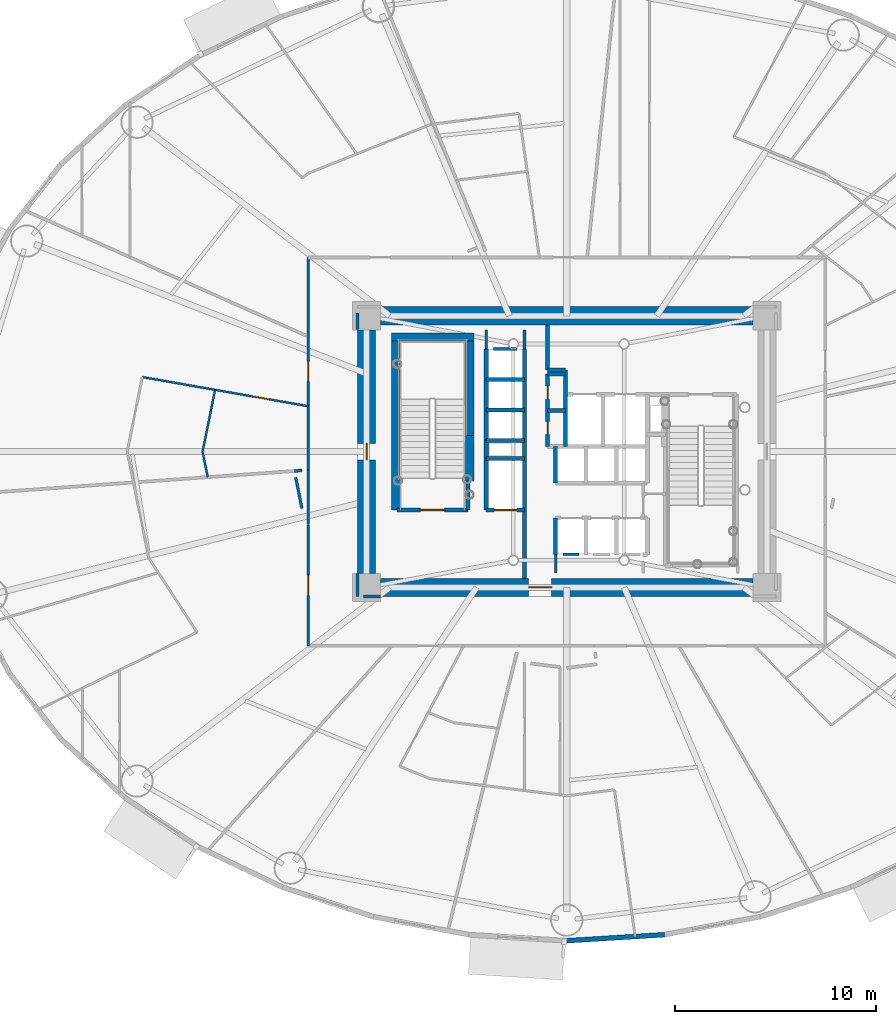
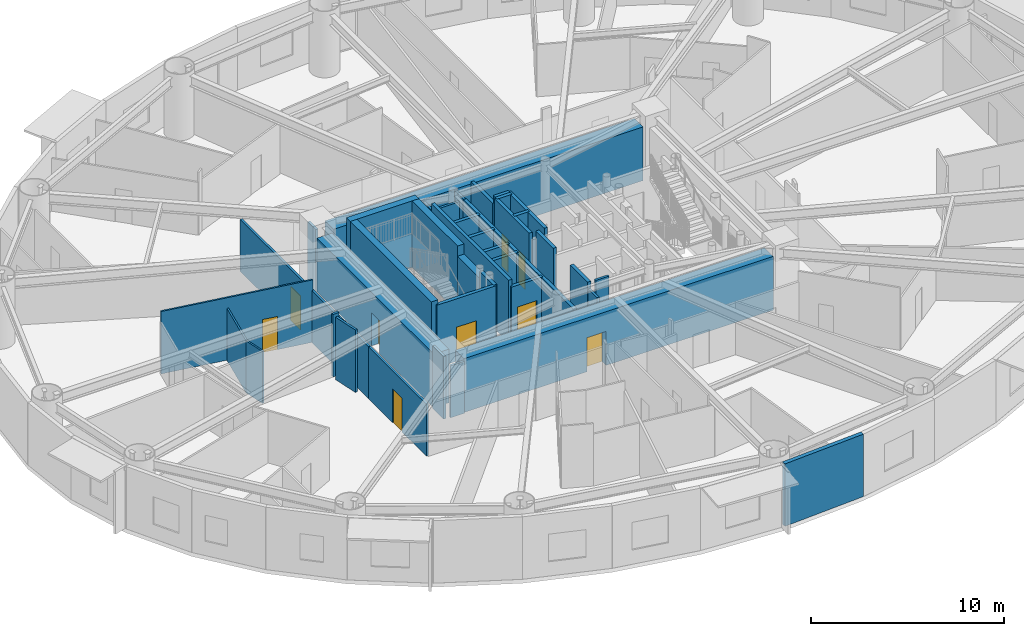
# One storey, part 9 of 21: 41 walls, 9 doors, 9 openings.
"""IFC4 building model written with IfcOpenShell, lengths in metres."""

from ifc_helpers import new_model, si_unit, direction, frame, frame_2d, origin, origin_2d, place, context, subcontext, project, spatial, rectangle, extrude, source, transform, mapped, material, layer, layer_set, type_object, element, fill, save


model = new_model("IFC4")

# Units and contexts
model_context = context("Model", 3, precision=1e-05, world=origin(), true_north=direction((0.0, 1.0)))
body_context = subcontext(model_context, "Body", "Model", "MODEL_VIEW")
ifc_project = project(units=[si_unit("LENGTHUNIT", "METRE"), si_unit("AREAUNIT", "SQUARE_METRE"), si_unit("VOLUMEUNIT", "CUBIC_METRE"), si_unit("PLANEANGLEUNIT", "RADIAN"), si_unit("MASSUNIT", "GRAM", prefix="KILO")], contexts=[model_context])

# Site, building, storey
site_placement = place(None, origin())
site = spatial("IfcSite", under=ifc_project, at=site_placement, CompositionType="ELEMENT")
building_placement = place(site_placement, origin())
building = spatial("IfcBuilding", under=site, at=building_placement, Name="Linh Dai School and Residence Tower", CompositionType="ELEMENT")
storey_placement = place(building_placement, frame((0.0, 0.0, 61.800048828125)))
storey = spatial("IfcBuildingStorey", under=building, at=storey_placement, Name="L14", CompositionType="ELEMENT", Elevation=61.800048828125)

# Wall
ifc_material_1 = material(Name="Precast Concrete B45 (C35/45)", Category="concrete")
ifc_layer_1 = layer(ifc_material_1, 0.239990234375)
ifc_layer_set_1 = layer_set([ifc_layer_1], Name="Precast Concrete B45 (C35/45)")
wall_type_1 = type_object("IfcWallType", Name="EW-TC-240", PredefinedType="SOLIDWALL", material=ifc_layer_set_1)
wall_1_placement = place(storey_placement, frame((40.865478515625, 2.994873046875, 0.0), z_axis=(0.0, 0.0, 1.0), x_axis=(-0.998106954071, -0.061502099433, 0.0)))
element("IfcWall", 1, at=wall_1_placement, inside=storey, type_object=wall_type_1, Name="L14 Terracotta Exterior Wall 31", PredefinedType="SOLIDWALL", context=body_context, shape_type="SweptSolid", body=[
    extrude(rectangle(XDim=4.874755859375, YDim=0.239990234375, at=frame_2d((2.4375, 0.0))), origin(), (0.0, 0.0, 1.0), 3.949951171875),
])

# Wall, opening, door
ifc_material_2 = material(Name="Autoclaved Aerated Concrete Blockwork", Category="masonry")
ifc_layer_2 = layer(ifc_material_2, 0.135009765625)
ifc_layer_set_2 = layer_set([ifc_layer_2], Name="Autoclaved Aerated Concrete Blockwork")
wall_type_2 = type_object("IfcWallType", Name="IW-CORR-135-EI90", PredefinedType="PARTITIONING", material=ifc_layer_set_2)
wall_2_placement = place(storey_placement, frame((23.14990234375, 17.35009765625, 0.0), z_axis=(0.0, 0.0, 1.0), x_axis=(0.0, 1.0, 0.0)))
wall_2 = element("IfcWall", 2, at=wall_2_placement, inside=storey, type_object=wall_type_2, Name="L14 Interior Partition Wall 019", PredefinedType="PARTITIONING", context=body_context, shape_type="SweptSolid", body=[
    extrude(rectangle(XDim=6.011474609375, YDim=0.135009765625, at=frame_2d((3.005859375, 0.0))), origin(), (0.0, 0.0, 1.0), 3.284912109375),
])
opening_1_placement = place(wall_2_placement, frame((2.505859375, 0.0, 0.0)))
opening_1 = element("IfcOpeningElement", 3, at=opening_1_placement, cuts=wall_2, Name="Opening D03", PredefinedType="OPENING", context=body_context, shape_type="SweptSolid", body=[
    extrude(rectangle(XDim=1.0, YDim=2.14990234375, at=origin_2d()), frame((0.5, 0.07763671875, 1.074951171875), z_axis=(0.0, -1.0, 0.0), x_axis=(1.0, 0.0, 0.0)), (0.0, 0.0, 1.0), 0.155029296875),
])
ifc_material_3 = material(Name="Fire-Rated Solid Timber Entrance Door", Category="wood")
door_type_1 = type_object("IfcDoorType", Name="DR-FLAT-1000x2150-FD60S", OperationType="NOTDEFINED", PredefinedType="DOOR", material=ifc_material_3)
shared_shape_1 = source(origin(), body_context, "Body", "SweptSolid", [
    extrude(rectangle(XDim=1.0, YDim=2.14990234375, at=origin_2d()), frame((0.5, 0.02490234375, 1.074951171875), z_axis=(0.0, -1.0, 0.0), x_axis=(1.0, 0.0, 0.0)), (0.0, 0.0, 1.0), 0.050048828125),
])
door_1_placement = place(opening_1_placement, origin())
door_1 = element("IfcDoor", 4, at=door_1_placement, inside=storey, type_object=door_type_1, Name="L14 U1406 Apartment Entrance Door", OperationType="SINGLE_SWING_RIGHT", OverallHeight=2.14990234375, OverallWidth=1.0, PredefinedType="DOOR", context=body_context, shape_type="MappedRepresentation", body=[
    mapped(shared_shape_1, transform((0.0, 0.0, 0.0), x_axis=(1.0, 0.0, 0.0), y_axis=(0.0, 1.0, 0.0), z_axis=(0.0, 0.0, 1.0), scale=1.0)),
])
fill(opening_1, door_1)

wall_3_placement = place(storey_placement, frame((23.14990234375, 26.086181640625, 0.0), z_axis=(0.0, 0.0, 1.0), x_axis=(0.0, 1.0, 0.0)))
wall_3 = element("IfcWall", 5, at=wall_3_placement, inside=storey, type_object=wall_type_2, Name="L14 Interior Partition Wall 021", PredefinedType="PARTITIONING", context=body_context, shape_type="SweptSolid", body=[
    extrude(rectangle(XDim=10.563720703125, YDim=0.135009765625, at=frame_2d((5.28173828125, 0.0))), origin(), (0.0, 0.0, 1.0), 3.284912109375),
])
opening_2_placement = place(wall_3_placement, frame((4.4033203125, 0.0, 0.0)))
opening_2 = element("IfcOpeningElement", 6, at=opening_2_placement, cuts=wall_3, Name="Opening D03", PredefinedType="OPENING", context=body_context, shape_type="SweptSolid", body=[
    extrude(rectangle(XDim=1.0, YDim=2.14990234375, at=origin_2d()), frame((0.5, 0.07763671875, 1.074951171875), z_axis=(0.0, -1.0, 0.0), x_axis=(1.0, 0.0, 0.0)), (0.0, 0.0, 1.0), 0.155029296875),
])
door_2_placement = place(opening_2_placement, origin())
door_2 = element("IfcDoor", 7, at=door_2_placement, inside=storey, type_object=door_type_1, Name="L14 U1405 Apartment Entrance Door", OperationType="SINGLE_SWING_LEFT", OverallHeight=2.14990234375, OverallWidth=1.0, PredefinedType="DOOR", context=body_context, shape_type="MappedRepresentation", body=[
    mapped(shared_shape_1, transform((0.0, 0.0, 0.0), x_axis=(1.0, 0.0, 0.0), y_axis=(0.0, 1.0, 0.0), z_axis=(0.0, 0.0, 1.0), scale=1.0)),
])
fill(opening_2, door_2)

# Walls
wall_4_placement = place(storey_placement, frame((36.60009765625, 21.89990234375, 0.0), z_axis=(0.0, 0.0, 1.0), x_axis=(-1.0, 0.0, 0.0)))
element("IfcWall", 8, at=wall_4_placement, inside=storey, type_object=wall_type_2, Name="L14 Interior Partition Wall 105", PredefinedType="PARTITIONING", context=body_context, shape_type="SweptSolid", body=[
    extrude(rectangle(XDim=0.7900390625, YDim=0.135009765625, at=frame_2d((0.39501953125, 0.0))), origin(), (0.0, 0.0, 1.0), 3.949951171875),
])
wall_5_placement = place(storey_placement, frame((32.360107421875, 32.10009765625, 0.0), z_axis=(0.0, 0.0, 1.0), x_axis=(1.0, 0.0, 0.0)))
element("IfcWall", 9, at=wall_5_placement, inside=storey, type_object=wall_type_2, Name="L14 Interior Partition Wall 108", PredefinedType="PARTITIONING", context=body_context, shape_type="SweptSolid", body=[
    extrude(rectangle(XDim=1.179931640625, YDim=0.135009765625, at=frame_2d((0.58984375, 0.0))), origin(), (0.0, 0.0, 1.0), 3.534912109375),
])
wall_6_placement = place(storey_placement, frame((32.0, 33.0400390625, 0.0), z_axis=(0.0, 0.0, 1.0), x_axis=(0.0, -1.0, 0.0)))
element("IfcWall", 10, at=wall_6_placement, inside=storey, type_object=wall_type_2, Name="L14 Interior Partition Wall 110", PredefinedType="PARTITIONING", context=body_context, shape_type="SweptSolid", body=[
    extrude(rectangle(XDim=0.929931640625, YDim=0.135009765625, at=frame_2d((0.46484375, 0.0))), origin(), (0.0, 0.0, 1.0), 3.48486328125),
])
for number, where, z_axis, x_axis, name in (
    (11, (35.449951171875, 21.889892578125, 0.0), (0.0, 0.0, 1.0), (0.0, -1.0, 0.0), "L14 Interior Partition Wall 112"),
    (12, (33.89990234375, 32.110107421875, 0.0), (0.0, 0.0, 1.0), (0.0, 1.0, 0.0), "L14 Interior Partition Wall 113"),
):
    element("IfcWall", number, at=place(storey_placement, frame(where, z_axis=z_axis, x_axis=x_axis)), inside=storey, type_object=wall_type_2, Name=name, PredefinedType="PARTITIONING", context=body_context, shape_type="SweptSolid", body=[
        extrude(rectangle(XDim=0.929931640625, YDim=0.135009765625, at=frame_2d((0.46484375, 0.0))), origin(), (0.0, 0.0, 1.0), 3.534912109375),
    ])
wall_7_placement = place(storey_placement, frame((23.14990234375, 23.37158203125, 0.0), z_axis=(0.0, 0.0, 1.0), x_axis=(0.0, 1.0, 0.0)))
element("IfcWall", 13, at=wall_7_placement, inside=storey, type_object=wall_type_2, Name="L14 Interior Partition Wall 118", PredefinedType="PARTITIONING", context=body_context, shape_type="SweptSolid", body=[
    extrude(rectangle(XDim=2.70458984375, YDim=0.135009765625, at=frame_2d((1.352294921875, 0.0))), origin(), (0.0, 0.0, 1.0), 3.284912109375),
])
wall_8_placement = place(storey_placement, frame((25.60009765625, 33.892578125, 0.0), z_axis=(0.0, 0.0, 1.0), x_axis=(0.0, -1.0, 0.0)))
element("IfcWall", 14, at=wall_8_placement, inside=storey, type_object=wall_type_2, Name="L14 Interior Partition Wall 121", PredefinedType="PARTITIONING", context=body_context, shape_type="SweptSolid", body=[
    extrude(rectangle(XDim=0.83251953125, YDim=0.135009765625, at=frame_2d((0.416259765625, 0.0))), origin(), (0.0, 0.0, 1.0), 3.949951171875),
])
wall_9_placement = place(storey_placement, frame((25.60009765625, 20.93994140625, 0.0), z_axis=(0.0, 0.0, 1.0), x_axis=(0.0, -1.0, 0.0)))
element("IfcWall", 15, at=wall_9_placement, inside=storey, type_object=wall_type_2, Name="L14 Interior Partition Wall 122", PredefinedType="PARTITIONING", context=body_context, shape_type="SweptSolid", body=[
    extrude(rectangle(XDim=1.139892578125, YDim=0.135009765625, at=frame_2d((0.56982421875, 0.0))), origin(), (0.0, 0.0, 1.0), 3.949951171875),
])
wall_10_placement = place(storey_placement, frame((25.907470703125, 19.800048828125, 0.0), z_axis=(0.0, 0.0, 1.0), x_axis=(1.0, 0.0, 0.0)))
element("IfcWall", 16, at=wall_10_placement, inside=storey, type_object=wall_type_2, Name="L14 Interior Partition Wall 123", PredefinedType="PARTITIONING", context=body_context, shape_type="SweptSolid", body=[
    extrude(rectangle(XDim=0.83251953125, YDim=0.135009765625, at=frame_2d((0.416259765625, 0.0))), origin(), (0.0, 0.0, 1.0), 3.284912109375),
])
wall_11_placement = place(storey_placement, frame((22.529541015625, 25.726318359375, 0.0), z_axis=(0.0, 0.0, 1.0), x_axis=(0.198347121698, -0.980131837721, 0.0)))
element("IfcWall", 17, at=wall_11_placement, inside=storey, type_object=wall_type_2, Name="L14 Interior Partition Wall 130", PredefinedType="PARTITIONING", context=body_context, shape_type="SweptSolid", body=[
    extrude(rectangle(XDim=1.577880859375, YDim=0.135009765625, at=frame_2d((0.7890625, 0.0))), origin(), (0.0, 0.0, 1.0), 3.949951171875),
])
ifc_layer_3 = layer(ifc_material_2, 0.14990234375)
ifc_layer_set_3 = layer_set([ifc_layer_3], Name="Autoclaved Aerated Concrete Blockwork")
wall_type_3 = type_object("IfcWallType", Name="IW-SCH-150-EI60", PredefinedType="PARTITIONING", material=ifc_layer_set_3)
wall_12_placement = place(storey_placement, frame((22.842529296875, 26.064208984375, 0.0), z_axis=(0.0, 0.0, 1.0), x_axis=(-0.997509116352, -0.070537669335, 0.0)))
element("IfcWall", 18, at=wall_12_placement, inside=storey, type_object=wall_type_3, Name="L14 Interior Partition Wall 129", PredefinedType="PARTITIONING", context=body_context, shape_type="SweptSolid", body=[
    extrude(rectangle(XDim=0.366943359375, YDim=0.14990234375, at=frame_2d((0.18359375, 0.0))), origin(), (0.0, 0.0, 1.0), 3.949951171875),
])

# Wall, opening, door
ifc_material_4 = material(Name="Concrete B45 (C35/45)", Category="concrete")
ifc_layer_4 = layer(ifc_material_4, 0.199951171875)
ifc_layer_set_4 = layer_set([ifc_layer_4], Name="Concrete B45 (C35/45)")
wall_type_4 = type_object("IfcWallType", Name="IW-SHAFT-200-EI120", PredefinedType="PARTITIONING", material=ifc_layer_set_4)
wall_13_placement = place(storey_placement, frame((27.56005859375, 24.10009765625, 0.0), z_axis=(0.0, 0.0, 1.0), x_axis=(1.0, 0.0, 0.0)))
wall_13 = element("IfcWall", 19, at=wall_13_placement, inside=storey, type_object=wall_type_4, Name="L14 Interior Partition Wall 025", PredefinedType="PARTITIONING", context=body_context, shape_type="SweptSolid", body=[
    extrude(rectangle(XDim=3.5400390625, YDim=0.199951171875, at=frame_2d((1.77001953125, 0.0))), origin(), (0.0, 0.0, 1.0), 3.949951171875),
])
opening_3_placement = place(wall_13_placement, frame((1.169921875, 0.0, 0.0)))
opening_3 = element("IfcOpeningElement", 20, at=opening_3_placement, cuts=wall_13, Name="Opening D01", PredefinedType="OPENING", context=body_context, shape_type="SweptSolid", body=[
    extrude(rectangle(XDim=1.199951171875, YDim=2.14990234375, at=origin_2d()), frame((0.60009765625, 0.10986328125, 1.074951171875), z_axis=(0.0, -1.0, 0.0), x_axis=(1.0, 0.0, 0.0)), (0.0, 0.0, 1.0), 0.219970703125),
])
ifc_material_5 = material(Name="Fire-Rated Steel Door Leaf", Category="steel")
door_type_2 = type_object("IfcDoorType", Name="DR-STAIR-1200x2150-FD90S", OperationType="NOTDEFINED", PredefinedType="DOOR", material=ifc_material_5)
shared_shape_2 = source(origin(), body_context, "Body", "SweptSolid", [
    extrude(rectangle(XDim=1.199951171875, YDim=2.14990234375, at=origin_2d()), frame((0.60009765625, 0.02490234375, 1.074951171875), z_axis=(0.0, -1.0, 0.0), x_axis=(1.0, 0.0, 0.0)), (0.0, 0.0, 1.0), 0.050048828125),
])
door_3_placement = place(opening_3_placement, origin())
door_3 = element("IfcDoor", 21, at=door_3_placement, inside=storey, type_object=door_type_2, Name="L14 Core Smokeproof Exit Stair ST1 Door", OperationType="SINGLE_SWING_LEFT", OverallHeight=2.14990234375, OverallWidth=1.199951171875, PredefinedType="DOOR", context=body_context, shape_type="MappedRepresentation", body=[
    mapped(shared_shape_2, transform((0.0, 0.0, 0.0), x_axis=(1.0, 0.0, 0.0), y_axis=(0.0, 1.0, 0.0), z_axis=(0.0, 0.0, 1.0), scale=1.0)),
])
fill(opening_3, door_3)

# Walls
wall_14_placement = place(storey_placement, frame((31.10009765625, 24.10009765625, 0.0), z_axis=(0.0, 0.0, 1.0), x_axis=(0.0, 1.0, 0.0)))
element("IfcWall", 22, at=wall_14_placement, inside=storey, type_object=wall_type_4, Name="L14 Interior Partition Wall 035", PredefinedType="PARTITIONING", context=body_context, shape_type="SweptSolid", body=[
    extrude(rectangle(XDim=1.43994140625, YDim=0.199951171875, at=frame_2d((0.719970703125, 0.0))), origin(), (0.0, 0.0, 1.0), 3.949951171875),
])
wall_15_placement = place(storey_placement, frame((32.0, 24.10009765625, 0.0), z_axis=(0.0, 0.0, 1.0), x_axis=(0.0, 1.0, 0.0)))
element("IfcWall", 23, at=wall_15_placement, inside=storey, type_object=wall_type_4, Name="L14 Interior Partition Wall 036", PredefinedType="PARTITIONING", context=body_context, shape_type="SweptSolid", body=[
    extrude(rectangle(XDim=8.0, YDim=0.199951171875, at=frame_2d((4.0, 0.0))), origin(), (0.0, 0.0, 1.0), 3.949951171875),
])

# Wall, opening, door
wall_16_placement = place(storey_placement, frame((32.0, 24.10009765625, 0.0), z_axis=(0.0, 0.0, 1.0), x_axis=(1.0, 0.0, 0.0)))
wall_16 = element("IfcWall", 24, at=wall_16_placement, inside=storey, type_object=wall_type_4, Name="L14 Interior Partition Wall 037", PredefinedType="PARTITIONING", context=body_context, shape_type="SweptSolid", body=[
    extrude(rectangle(XDim=1.89990234375, YDim=0.199951171875, at=frame_2d((0.949951171875, 0.0))), origin(), (0.0, 0.0, 1.0), 3.534912109375),
])
opening_4_placement = place(wall_16_placement, frame((0.375, 0.0, 0.0)))
opening_4 = element("IfcOpeningElement", 25, at=opening_4_placement, cuts=wall_16, Name="Opening LD-FF2", PredefinedType="OPENING", context=body_context, shape_type="SweptSolid", body=[
    extrude(rectangle(XDim=1.14990234375, YDim=2.14990234375, at=origin_2d()), frame((0.574951171875, 0.10986328125, 1.074951171875), z_axis=(0.0, -1.0, 0.0), x_axis=(1.0, 0.0, 0.0)), (0.0, 0.0, 1.0), 0.219970703125),
])
ifc_material_6 = material(Name="Fire-Rated Stainless Steel Firefighting Lift Door", Category="steel")
door_type_3 = type_object("IfcDoorType", Name="DR-LD-FF-1150x2150-FD120", OperationType="DOUBLE_DOOR_SLIDING", PredefinedType="USERDEFINED", material=ifc_material_6)
shared_shape_3 = source(origin(), body_context, "Body", "SweptSolid", [
    extrude(rectangle(XDim=1.14990234375, YDim=2.14990234375, at=origin_2d()), frame((0.574951171875, 0.02490234375, 1.074951171875), z_axis=(0.0, -1.0, 0.0), x_axis=(1.0, 0.0, 0.0)), (0.0, 0.0, 1.0), 0.050048828125),
])
door_4_placement = place(opening_4_placement, origin())
door_4 = element("IfcDoor", 26, at=door_4_placement, inside=storey, type_object=door_type_3, Name="L14 Lift FF2 Sliding Landing Door", ObjectType="LANDING DOOR", OperationType="DOUBLE_DOOR_SLIDING", OverallHeight=2.14990234375, OverallWidth=1.14990234375, PredefinedType="USERDEFINED", context=body_context, shape_type="MappedRepresentation", body=[
    mapped(shared_shape_3, transform((0.0, 0.0, 0.0), x_axis=(1.0, 0.0, 0.0), y_axis=(0.0, 1.0, 0.0), z_axis=(0.0, 0.0, 1.0), scale=1.0)),
])
fill(opening_4, door_4)

# Walls
for number, where, z_axis, x_axis, name in (
    (27, (32.0, 26.64990234375, 0.0), (0.0, 0.0, 1.0), (1.0, 0.0, 0.0), "L14 Interior Partition Wall 038"),
    (28, (32.0, 27.550048828125, 0.0), (0.0, 0.0, 1.0), (1.0, 0.0, 0.0), "L14 Interior Partition Wall 039"),
    (29, (32.0, 29.06005859375, 0.0), (0.0, 0.0, 1.0), (1.0, 0.0, 0.0), "L14 Interior Partition Wall 040"),
    (30, (32.0, 30.580078125, 0.0), (0.0, 0.0, 1.0), (1.0, 0.0, 0.0), "L14 Interior Partition Wall 041"),
):
    element("IfcWall", number, at=place(storey_placement, frame(where, z_axis=z_axis, x_axis=x_axis)), inside=storey, type_object=wall_type_4, Name=name, PredefinedType="PARTITIONING", context=body_context, shape_type="SweptSolid", body=[
        extrude(rectangle(XDim=1.89990234375, YDim=0.199951171875, at=frame_2d((0.949951171875, 0.0))), origin(), (0.0, 0.0, 1.0), 3.534912109375),
    ])
wall_17_placement = place(storey_placement, frame((33.89990234375, 20.699951171875, 0.0), z_axis=(0.0, 0.0, 1.0), x_axis=(0.0, 1.0, 0.0)))
element("IfcWall", 31, at=wall_17_placement, inside=storey, type_object=wall_type_4, Name="L14 Interior Partition Wall 044", PredefinedType="PARTITIONING", context=body_context, shape_type="SweptSolid", body=[
    extrude(rectangle(XDim=11.400146484375, YDim=0.199951171875, at=frame_2d((5.7001953125, 0.0))), origin(), (0.0, 0.0, 1.0), 3.534912109375),
])

# Wall, openings, doors
wall_18_placement = place(storey_placement, frame((35.050048828125, 27.25, 0.0), z_axis=(0.0, 0.0, 1.0), x_axis=(0.0, 1.0, 0.0)))
wall_18 = element("IfcWall", 32, at=wall_18_placement, inside=storey, type_object=wall_type_4, Name="L14 Interior Partition Wall 046", PredefinedType="PARTITIONING", context=body_context, shape_type="SweptSolid", body=[
    extrude(rectangle(XDim=3.60009765625, YDim=0.199951171875, at=frame_2d((1.800048828125, 0.0))), origin(), (0.0, 0.0, 1.0), 3.949951171875),
])
opening_5_placement = place(wall_18_placement, frame((0.590087890625, 0.0, 0.0)))
opening_5 = element("IfcOpeningElement", 33, at=opening_5_placement, cuts=wall_18, Name="Opening AD1", PredefinedType="OPENING", context=body_context, shape_type="SweptSolid", body=[
    extrude(rectangle(XDim=0.659912109375, YDim=2.050048828125, at=origin_2d()), frame((0.330078125, 0.10986328125, 1.02490234375), z_axis=(0.0, -1.0, 0.0), x_axis=(1.0, 0.0, 0.0)), (0.0, 0.0, 1.0), 0.219970703125),
])
opening_6_placement = place(wall_18_placement, frame((2.35009765625, 0.0, 0.0)))
opening_6 = element("IfcOpeningElement", 34, at=opening_6_placement, cuts=wall_18, Name="Opening AD1", PredefinedType="OPENING", context=body_context, shape_type="SweptSolid", body=[
    extrude(rectangle(XDim=0.659912109375, YDim=2.050048828125, at=origin_2d()), frame((0.330078125, 0.10986328125, 1.02490234375), z_axis=(0.0, -1.0, 0.0), x_axis=(1.0, 0.0, 0.0)), (0.0, 0.0, 1.0), 0.219970703125),
])
ifc_material_7 = material(Name="Fire-Rated Steel Riser Access Door", Category="steel")
door_type_4 = type_object("IfcDoorType", Name="DR-ACC-660x2050-FD90S", OperationType="NOTDEFINED", PredefinedType="USERDEFINED", material=ifc_material_7)
shared_shape_4 = source(origin(), body_context, "Body", "SweptSolid", [
    extrude(rectangle(XDim=0.659912109375, YDim=2.050048828125, at=origin_2d()), frame((0.330078125, 0.02490234375, 1.02490234375), z_axis=(0.0, -1.0, 0.0), x_axis=(1.0, 0.0, 0.0)), (0.0, 0.0, 1.0), 0.050048828125),
])
door_5_placement = place(opening_5_placement, origin())
door_5 = element("IfcDoor", 35, at=door_5_placement, inside=storey, type_object=door_type_4, Name="L14 Telecom and Data Riser Access Door", ObjectType="ACCESS DOOR", OperationType="SINGLE_SWING_RIGHT", OverallHeight=2.050048828125, OverallWidth=0.659912109375, PredefinedType="USERDEFINED", context=body_context, shape_type="MappedRepresentation", body=[
    mapped(shared_shape_4, transform((0.0, 0.0, 0.0), x_axis=(1.0, 0.0, 0.0), y_axis=(0.0, 1.0, 0.0), z_axis=(0.0, 0.0, 1.0), scale=1.0)),
])
fill(opening_5, door_5)
door_6_placement = place(opening_6_placement, origin())
door_6 = element("IfcDoor", 36, at=door_6_placement, inside=storey, type_object=door_type_4, Name="L14 Mechanical and Plumbing Riser Access Door", ObjectType="ACCESS DOOR", OperationType="SINGLE_SWING_LEFT", OverallHeight=2.050048828125, OverallWidth=0.659912109375, PredefinedType="USERDEFINED", context=body_context, shape_type="MappedRepresentation", body=[
    mapped(shared_shape_4, transform((0.0, 0.0, 0.0), x_axis=(1.0, 0.0, 0.0), y_axis=(0.0, 1.0, 0.0), z_axis=(0.0, 0.0, 1.0), scale=1.0)),
])
fill(opening_6, door_6)

# Walls
for number, where, z_axis, x_axis, name in (
    (37, (35.050048828125, 29.050048828125, 0.0), (0.0, 0.0, 1.0), (1.0, 0.0, 0.0), "L14 Interior Partition Wall 048"),
    (38, (35.050048828125, 30.85009765625, 0.0), (0.0, 0.0, 1.0), (1.0, 0.0, 0.0), "L14 Interior Partition Wall 049"),
):
    element("IfcWall", number, at=place(storey_placement, frame(where, z_axis=z_axis, x_axis=x_axis)), inside=storey, type_object=wall_type_4, Name=name, PredefinedType="PARTITIONING", context=body_context, shape_type="SweptSolid", body=[
        extrude(rectangle(XDim=0.89990234375, YDim=0.199951171875, at=frame_2d((0.449951171875, 0.0))), origin(), (0.0, 0.0, 1.0), 3.949951171875),
    ])
wall_19_placement = place(storey_placement, frame((35.050048828125, 31.050048828125, 0.0), z_axis=(0.0, 0.0, 1.0), x_axis=(0.0, 1.0, 0.0)))
element("IfcWall", 39, at=wall_19_placement, inside=storey, type_object=wall_type_4, Name="L14 Interior Partition Wall 050", PredefinedType="PARTITIONING", context=body_context, shape_type="SweptSolid", body=[
    extrude(rectangle(XDim=2.25, YDim=0.199951171875, at=frame_2d((1.125, 0.0))), origin(), (0.0, 0.0, 1.0), 3.534912109375),
])
wall_20_placement = place(storey_placement, frame((35.050048828125, 31.050048828125, 0.0), z_axis=(0.0, 0.0, 1.0), x_axis=(1.0, 0.0, 0.0)))
element("IfcWall", 40, at=wall_20_placement, inside=storey, type_object=wall_type_4, Name="L14 Interior Partition Wall 051", PredefinedType="PARTITIONING", context=body_context, shape_type="SweptSolid", body=[
    extrude(rectangle(XDim=0.89990234375, YDim=0.199951171875, at=frame_2d((0.449951171875, 0.0))), origin(), (0.0, 0.0, 1.0), 3.949951171875),
])
for number, where, z_axis, x_axis, name in (
    (41, (35.449951171875, 21.89990234375, 0.0), (0.0, 0.0, 1.0), (0.0, 1.0, 0.0), "L14 Interior Partition Wall 052"),
    (42, (35.449951171875, 25.449951171875, 0.0), (0.0, 0.0, 1.0), (0.0, 1.0, 0.0), "L14 Interior Partition Wall 054"),
):
    element("IfcWall", number, at=place(storey_placement, frame(where, z_axis=z_axis, x_axis=x_axis)), inside=storey, type_object=wall_type_4, Name=name, PredefinedType="PARTITIONING", context=body_context, shape_type="SweptSolid", body=[
        extrude(rectangle(XDim=1.800048828125, YDim=0.199951171875, at=frame_2d((0.89990234375, 0.0))), origin(), (0.0, 0.0, 1.0), 3.949951171875),
    ])
wall_21_placement = place(storey_placement, frame((35.949951171875, 27.25, 0.0), z_axis=(0.0, 0.0, 1.0), x_axis=(0.0, 1.0, 0.0)))
element("IfcWall", 43, at=wall_21_placement, inside=storey, type_object=wall_type_4, Name="L14 Interior Partition Wall 057", PredefinedType="PARTITIONING", context=body_context, shape_type="SweptSolid", body=[
    extrude(rectangle(XDim=3.800048828125, YDim=0.199951171875, at=frame_2d((1.89990234375, 0.0))), origin(), (0.0, 0.0, 1.0), 3.949951171875),
])

# Wall, opening, door
ifc_material_8 = material(Name="Gypsum Plasterboard Acoustic Stud Partition", Category="masonry")
ifc_layer_5 = layer(ifc_material_8, 0.10009765625)
ifc_layer_set_5 = layer_set([ifc_layer_5], Name="Gypsum Plasterboard Acoustic Stud Partition")
wall_type_5 = type_object("IfcWallType", Name="IW-UNIT-100", PredefinedType="PARTITIONING", material=ifc_layer_set_5)
wall_22_placement = place(storey_placement, frame((14.90966796875, 30.7060546875, 0.0), z_axis=(0.0, 0.0, 1.0), x_axis=(0.984910199579, -0.173066168747, 0.0)))
wall_22 = element("IfcWall", 44, at=wall_22_placement, inside=storey, type_object=wall_type_5, Name="L14 Interior Partition Wall 011", PredefinedType="PARTITIONING", context=body_context, shape_type="SweptSolid", body=[
    extrude(rectangle(XDim=8.36669921875, YDim=0.10009765625, at=frame_2d((4.183349609375, 0.0))), origin(), (0.0, 0.0, 1.0), 3.949951171875),
])
opening_7_placement = place(wall_22_placement, frame((5.5888671875, 0.0, 0.0)))
opening_7 = element("IfcOpeningElement", 45, at=opening_7_placement, cuts=wall_22, Name="Opening D06", PredefinedType="OPENING", context=body_context, shape_type="SweptSolid", body=[
    extrude(rectangle(XDim=0.820068359375, YDim=2.10009765625, at=origin_2d()), frame((0.41015625, 0.06005859375, 1.050048828125), z_axis=(0.0, -1.0, 0.0), x_axis=(1.0, 0.0, 0.0)), (0.0, 0.0, 1.0), 0.1201171875),
])
ifc_material_9 = material(Name="Moisture-Resistant Timber Bathroom Door", Category="wood")
door_type_5 = type_object("IfcDoorType", Name="DR-WET-820x2100", OperationType="NOTDEFINED", PredefinedType="DOOR", material=ifc_material_9)
shared_shape_5 = source(origin(), body_context, "Body", "SweptSolid", [
    extrude(rectangle(XDim=0.820068359375, YDim=2.10009765625, at=origin_2d()), frame((0.41015625, 0.02490234375, 1.050048828125), z_axis=(0.0, -1.0, 0.0), x_axis=(1.0, 0.0, 0.0)), (0.0, 0.0, 1.0), 0.050048828125),
])
door_7_placement = place(opening_7_placement, origin())
door_7 = element("IfcDoor", 46, at=door_7_placement, inside=storey, type_object=door_type_5, Name="L14 Apartment U1405 Bathroom Door", OperationType="SINGLE_SWING_RIGHT", OverallHeight=2.10009765625, OverallWidth=0.820068359375, PredefinedType="DOOR", context=body_context, shape_type="MappedRepresentation", body=[
    mapped(shared_shape_5, transform((0.0, 0.0, 0.0), x_axis=(1.0, 0.0, 0.0), y_axis=(0.0, 1.0, 0.0), z_axis=(0.0, 0.0, 1.0), scale=1.0)),
])
fill(opening_7, door_7)

# Walls
wall_23_placement = place(storey_placement, frame((17.904052734375, 27.0, 0.0), z_axis=(0.0, 0.0, 1.0), x_axis=(0.198255955876, -0.980150282334, 0.0)))
element("IfcWall", 47, at=wall_23_placement, inside=storey, type_object=wall_type_5, Name="L14 Interior Partition Wall 014", PredefinedType="PARTITIONING", context=body_context, shape_type="SweptSolid", body=[
    extrude(rectangle(XDim=1.294189453125, YDim=0.10009765625, at=frame_2d((0.64697265625, 0.0))), origin(), (0.0, 0.0, 1.0), 3.284912109375),
])
wall_24_placement = place(storey_placement, frame((17.904052734375, 27.0, 0.0), z_axis=(0.0, 0.0, 1.0), x_axis=(0.198258794433, 0.980149708172, 0.0)))
element("IfcWall", 48, at=wall_24_placement, inside=storey, type_object=wall_type_5, Name="L14 Interior Partition Wall 015", PredefinedType="PARTITIONING", context=body_context, shape_type="SweptSolid", body=[
    extrude(rectangle(XDim=3.1328125, YDim=0.10009765625, at=frame_2d((1.56640625, 0.0))), origin(), (0.0, 0.0, 1.0), 3.284912109375),
])
ifc_layer_6 = layer(ifc_material_4, 0.39990234375)
ifc_layer_set_6 = layer_set([ifc_layer_6], Name="Concrete B45 (C35/45)")
wall_type_6 = type_object("IfcWallType", Name="WL-CORE400", PredefinedType="SHEAR", material=ifc_layer_set_6)
wall_25_placement = place(storey_placement, frame((27.47998046875, 24.10009765625, 0.0), z_axis=(0.0, 0.0, 1.0), x_axis=(0.0, 1.0, 0.0)))
element("IfcWall", 49, at=wall_25_placement, inside=storey, type_object=wall_type_6, Name="L14 Core Stair ST1 Bearing Wall W", PredefinedType="SHEAR", context=body_context, shape_type="SweptSolid", body=[
    extrude(rectangle(XDim=8.599853515625, YDim=0.39990234375, at=frame_2d((4.2998046875, 0.0))), origin(), (0.0, 0.0, 1.0), 4.199951171875),
])
wall_26_placement = place(storey_placement, frame((31.179931640625, 27.800048828125, 0.0), z_axis=(0.0, 0.0, 1.0), x_axis=(0.0, 1.0, 0.0)))
element("IfcWall", 50, at=wall_26_placement, inside=storey, type_object=wall_type_6, Name="L14 Core Stair ST1 Bearing Wall E", PredefinedType="SHEAR", context=body_context, shape_type="SweptSolid", body=[
    extrude(rectangle(XDim=4.89990234375, YDim=0.39990234375, at=frame_2d((2.449951171875, 0.0))), origin(), (0.0, 0.0, 1.0), 4.199951171875),
])
wall_27_placement = place(storey_placement, frame((27.280029296875, 32.699951171875, 0.0), z_axis=(0.0, 0.0, 1.0), x_axis=(1.0, 0.0, 0.0)))
element("IfcWall", 51, at=wall_27_placement, inside=storey, type_object=wall_type_6, Name="L14 Core Stair ST1 Bearing Wall N", PredefinedType="SHEAR", context=body_context, shape_type="SweptSolid", body=[
    extrude(rectangle(XDim=4.099853515625, YDim=0.39990234375, at=frame_2d((2.0498046875, 0.0))), origin(), (0.0, 0.0, 1.0), 4.199951171875),
])
wall_28_placement = place(storey_placement, frame((31.179931640625, 25.550048828125, 0.0), z_axis=(0.0, 0.0, 1.0), x_axis=(0.0, 1.0, 0.0)))
element("IfcWall", 52, at=wall_28_placement, inside=storey, type_object=wall_type_6, Name="L14 Internal Core Shear Wall IW", PredefinedType="SHEAR", context=body_context, shape_type="SweptSolid", body=[
    extrude(rectangle(XDim=2.25, YDim=0.39990234375, at=frame_2d((1.125, 0.0))), origin(), (0.0, 0.0, 1.0), 3.550048828125),
])
ifc_material_10 = material(Name="Concrete B60 (C50/60)", Category="concrete")
ifc_layer_7 = layer(ifc_material_10, 0.89990234375)
ifc_layer_set_7 = layer_set([ifc_layer_7], Name="Concrete B60 (C50/60)")
wall_type_7 = type_object("IfcWallType", Name="WL-CORE900", PredefinedType="SHEAR", material=ifc_layer_set_7)
wall_29_placement = place(storey_placement, frame((26.75, 33.75, 0.0), z_axis=(0.0, 0.0, 1.0), x_axis=(1.0, 0.0, 0.0)))
element("IfcWall", 53, at=wall_29_placement, inside=storey, type_object=wall_type_7, Name="L14 Central Core Shear Wall N", PredefinedType="SHEAR", context=body_context, shape_type="SweptSolid", body=[
    extrude(rectangle(XDim=18.5, YDim=0.89990234375, at=frame_2d((9.25, 0.0))), origin(), (0.0, 0.0, 1.0), 3.39990234375),
])

# Wall, opening, door
wall_30_placement = place(storey_placement, frame((45.25, 20.25, 0.0), z_axis=(0.0, 0.0, 1.0), x_axis=(-1.0, 0.0, 0.0)))
wall_30 = element("IfcWall", 54, at=wall_30_placement, inside=storey, type_object=wall_type_7, Name="L14 Central Core Shear Wall S", PredefinedType="SHEAR", context=body_context, shape_type="SweptSolid", body=[
    extrude(rectangle(XDim=18.5, YDim=0.89990234375, at=frame_2d((9.25, 0.0))), origin(), (0.0, 0.0, 1.0), 3.39990234375),
])
opening_8_placement = place(wall_30_placement, frame((10.0, 0.0, 0.0)))
opening_8 = element("IfcOpeningElement", 55, at=opening_8_placement, cuts=wall_30, Name="Opening D02", PredefinedType="OPENING", context=body_context, shape_type="SweptSolid", body=[
    extrude(rectangle(XDim=1.14990234375, YDim=2.14990234375, at=origin_2d()), frame((0.574951171875, 0.4599609375, 1.074951171875), z_axis=(0.0, -1.0, 0.0), x_axis=(1.0, 0.0, 0.0)), (0.0, 0.0, 1.0), 0.919921875),
])
ifc_material_11 = material(Name="Fire-Rated Glazed Steel Lobby Door", Category="steel")
door_type_6 = type_object("IfcDoorType", Name="DR-LOBBY-1150x2150-FD90S", OperationType="NOTDEFINED", PredefinedType="DOOR", material=ifc_material_11)
shared_shape_6 = source(origin(), body_context, "Body", "SweptSolid", [
    extrude(rectangle(XDim=1.14990234375, YDim=2.14990234375, at=origin_2d()), frame((0.574951171875, 0.02490234375, 1.074951171875), z_axis=(0.0, -1.0, 0.0), x_axis=(1.0, 0.0, 0.0)), (0.0, 0.0, 1.0), 0.050048828125),
])
door_8_placement = place(opening_8_placement, origin())
door_8 = element("IfcDoor", 56, at=door_8_placement, inside=storey, type_object=door_type_6, Name="L14 Passenger Foyer Access Door", OperationType="SINGLE_SWING_RIGHT", OverallHeight=2.14990234375, OverallWidth=1.14990234375, PredefinedType="DOOR", context=body_context, shape_type="MappedRepresentation", body=[
    mapped(shared_shape_6, transform((0.0, 0.0, 0.0), x_axis=(1.0, 0.0, 0.0), y_axis=(0.0, 1.0, 0.0), z_axis=(0.0, 0.0, 1.0), scale=1.0)),
])
fill(opening_8, door_8)

wall_31_placement = place(storey_placement, frame((26.050048828125, 20.949951171875, 0.0), z_axis=(0.0, 0.0, 1.0), x_axis=(0.0, 1.0, 0.0)))
wall_31 = element("IfcWall", 57, at=wall_31_placement, inside=storey, type_object=wall_type_7, Name="L14 Central Core Shear Wall W", PredefinedType="SHEAR", context=body_context, shape_type="SweptSolid", body=[
    extrude(rectangle(XDim=12.10009765625, YDim=0.89990234375, at=frame_2d((6.050048828125, 0.0))), origin(), (0.0, 0.0, 1.0), 3.39990234375),
])
opening_9_placement = place(wall_31_placement, frame((5.639892578125, 0.0, 0.0)))
opening_9 = element("IfcOpeningElement", 58, at=opening_9_placement, cuts=wall_31, Name="Opening D06", PredefinedType="OPENING", context=body_context, shape_type="SweptSolid", body=[
    extrude(rectangle(XDim=0.820068359375, YDim=2.10009765625, at=origin_2d()), frame((0.41015625, 0.4599609375, 1.050048828125), z_axis=(0.0, -1.0, 0.0), x_axis=(1.0, 0.0, 0.0)), (0.0, 0.0, 1.0), 0.919921875),
])
door_9_placement = place(opening_9_placement, origin())
door_9 = element("IfcDoor", 59, at=door_9_placement, inside=storey, type_object=door_type_5, Name="L14 Firefighting Lobby Door", OperationType="SINGLE_SWING_RIGHT", OverallHeight=2.10009765625, OverallWidth=0.820068359375, PredefinedType="DOOR", context=body_context, shape_type="MappedRepresentation", body=[
    mapped(shared_shape_5, transform((0.0, 0.0, 0.0), x_axis=(1.0, 0.0, 0.0), y_axis=(0.0, 1.0, 0.0), z_axis=(0.0, 0.0, 1.0), scale=1.0)),
])
fill(opening_9, door_9)

save(model, "model.ifc")
